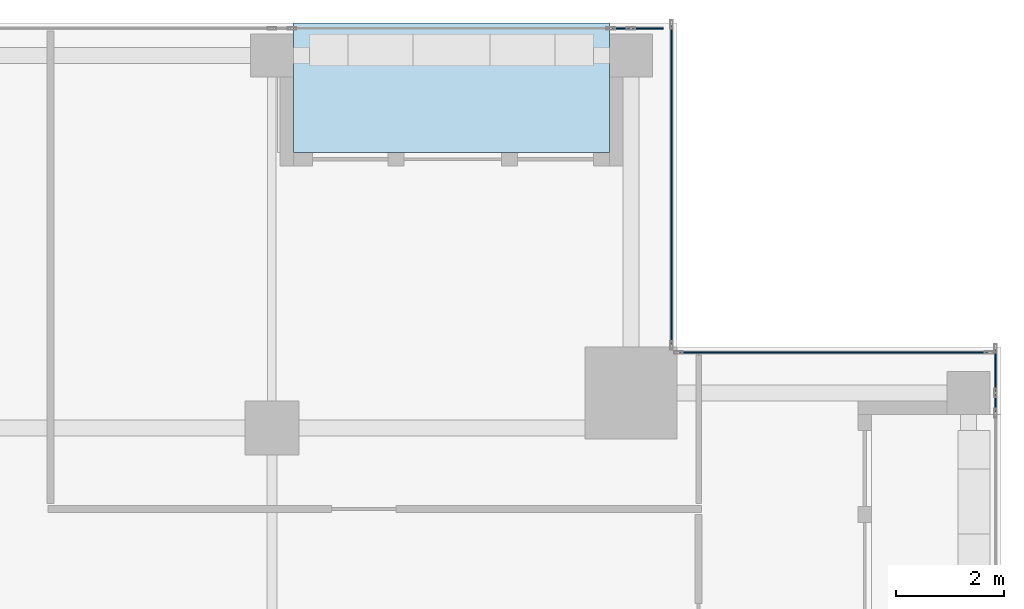
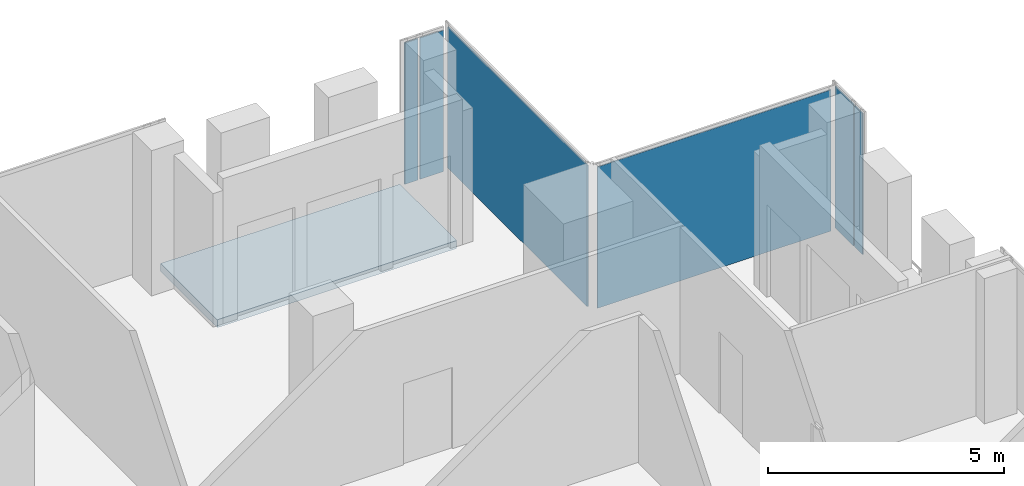
# One storey, part 24 of 29: 6 plates, 1 slab, 4 elements without a shape of their own.
"""IFC4 building model written with IfcOpenShell, lengths in metres."""

import ifcopenshell
import ifcopenshell.guid

model = None  # the IFC model being written
_history = None  # IfcOwnerHistory: only IFC2X3 demands one
_inside = {}  # id of a spatial element -> (the spatial element, [elements in it])
_under = {}  # id of a project, library or spatial element -> (it, [spatial elements below it])
_declared = {}  # id of a project -> (the project, [libraries it declares])
_typed = {}  # id of a type object -> (the type object, [elements of that type])
_made_of = {}  # id of a material, layer set ... -> (it, [elements and type objects made of it])


def new_model(schema):
    """Start an empty IFC model of exactly this schema.

    Asked for "IFC4X3", IfcOpenShell would pick the latest addendum, in which some entities
    have other attributes; the version numbers below select the first issue.
    IFC2X3 requires an IfcOwnerHistory on every rooted entity: one is made here for all.
    """
    global model, _history
    if schema == "IFC4X3":
        model = ifcopenshell.file(schema_version=(4, 3, 0, 0))
    else:
        model = ifcopenshell.file(schema=schema)
    _inside.clear()
    _under.clear()
    _declared.clear()
    _typed.clear()
    _made_of.clear()
    _history = None
    if model.schema == "IFC2X3":
        org = make("IfcOrganization", Name="unknown")
        user = make(
            "IfcPersonAndOrganization",
            ThePerson=make("IfcPerson", FamilyName="unknown"),
            TheOrganization=org,
        )
        app = make(
            "IfcApplication",
            ApplicationDeveloper=org,
            Version="unknown",
            ApplicationFullName="unknown",
            ApplicationIdentifier="unknown",
        )
        _history = make(
            "IfcOwnerHistory",
            OwningUser=user,
            OwningApplication=app,
            ChangeAction="ADDED",
            CreationDate=0,
        )
    return model


def make(cls, **values):
    """One entity of the class cls with the attributes given. An attribute that is None is left unset."""
    return model.create_entity(
        cls, **{name: value for name, value in values.items() if value is not None}
    )


def rooted(cls, **values):
    """An entity with a GlobalId (a new one), such as an element, a storey or a relation."""
    return make(cls, GlobalId=ifcopenshell.guid.new(), OwnerHistory=_history, **values)


def si_unit(unit_type, name, prefix=None):
    """IfcSIUnit, for example si_unit("LENGTHUNIT", "METRE", prefix="MILLI")."""
    return make("IfcSIUnit", UnitType=unit_type, Prefix=prefix, Name=name)


def assignment(units):
    """IfcUnitAssignment: the units of a project."""
    return None if units is None else make("IfcUnitAssignment", Units=units)


def point(xyz):
    """IfcCartesianPoint."""
    return None if xyz is None else make("IfcCartesianPoint", Coordinates=xyz)


def direction(xyz):
    """IfcDirection."""
    return None if xyz is None else make("IfcDirection", DirectionRatios=xyz)


def frame(location, z_axis=None, x_axis=None):
    """IfcAxis2Placement3D, a coordinate frame: its origin and axes. An axis left out is left unset."""
    return make(
        "IfcAxis2Placement3D",
        Location=point(location),
        Axis=direction(z_axis),
        RefDirection=direction(x_axis),
    )


def frame_2d(location, x_axis=None):
    """IfcAxis2Placement2D, a coordinate frame in the plane: its origin and x axis."""
    return make(
        "IfcAxis2Placement2D", Location=point(location), RefDirection=direction(x_axis)
    )


def origin():
    """The frame at (0, 0, 0) with its axes left unset."""
    return frame((0.0, 0.0, 0.0))


def origin_2d():
    """The frame at (0, 0) in the plane with its x axis left unset."""
    return frame_2d((0.0, 0.0))


def place(relative_to, where):
    """IfcLocalPlacement: puts the frame where relative to a parent placement (None: the world)."""
    return make(
        "IfcLocalPlacement", PlacementRelTo=relative_to, RelativePlacement=where
    )


def context(
    kind, dimensions, precision=None, world=None, true_north=None, identifier=None
):
    """IfcGeometricRepresentationContext, for example the 3D "Model" context."""
    return make(
        "IfcGeometricRepresentationContext",
        ContextIdentifier=identifier,
        ContextType=kind,
        CoordinateSpaceDimension=dimensions,
        Precision=precision,
        WorldCoordinateSystem=world,
        TrueNorth=true_north,
    )


def subcontext(parent, identifier, kind, view, scale=None):
    """IfcGeometricRepresentationSubContext, for example "Body" below "Model"."""
    return make(
        "IfcGeometricRepresentationSubContext",
        ContextIdentifier=identifier,
        ContextType=kind,
        ParentContext=parent,
        TargetScale=scale,
        TargetView=view,
    )


def project(units=None, contexts=None):
    """IfcProject with its units and contexts."""
    return rooted(
        "IfcProject",
        Name="project",
        RepresentationContexts=contexts,
        UnitsInContext=assignment(units),
    )


def spatial(cls, under=None, at=None, **own):
    """A site, building, storey or space (cls), placed at a placement, below another one or the project."""
    s = rooted(cls, ObjectPlacement=at, **own)
    if under is not None:
        _under.setdefault(under.id(), (under, []))[1].append(s)
    return s


def polyline(points):
    """IfcPolyline through the points."""
    return make("IfcPolyline", Points=[point(p) for p in points])


def profile(cls, at=None, kind="AREA", **sizes):
    """A parametric profile (cls). Its sizes go by their IFC names, for example OverallWidth=200.0."""
    return make(cls, ProfileType=kind, Position=at, **sizes)


def rectangle(**sizes):
    """IfcRectangleProfileDef."""
    return profile("IfcRectangleProfileDef", **sizes)


def outline(outer, holes=None, kind="AREA"):
    """IfcArbitraryClosedProfileDef: a profile drawn as a closed curve; with holes, ...WithVoids."""
    if holes is None:
        return make("IfcArbitraryClosedProfileDef", ProfileType=kind, OuterCurve=outer)
    return make(
        "IfcArbitraryProfileDefWithVoids",
        ProfileType=kind,
        OuterCurve=outer,
        InnerCurves=holes,
    )


def extrude(swept, where, along, depth):
    """IfcExtrudedAreaSolid: the profile swept, set in the frame where, extruded along a direction by depth."""
    return make(
        "IfcExtrudedAreaSolid",
        SweptArea=swept,
        Position=where,
        ExtrudedDirection=direction(along),
        Depth=depth,
    )


def shape(context_of_items, identifier, shape_type, items):
    """IfcShapeRepresentation: the items that make up one representation, for example the "Body"."""
    return make(
        "IfcShapeRepresentation",
        ContextOfItems=context_of_items,
        RepresentationIdentifier=identifier,
        RepresentationType=shape_type,
        Items=items,
    )


def source(mapping_origin, context_of_items, identifier, shape_type, items):
    """IfcRepresentationMap: a shape defined once, which mapped items show again and again."""
    return make(
        "IfcRepresentationMap",
        MappingOrigin=mapping_origin,
        MappedRepresentation=shape(context_of_items, identifier, shape_type, items),
    )


def transform(
    local_origin,
    x_axis=None,
    y_axis=None,
    z_axis=None,
    scale=None,
    scale2=None,
    scale3=None,
    uniform=True,
):
    """IfcCartesianTransformationOperator3D, or its non-uniform kind. x_axis, y_axis, z_axis: its Axis1, 2, 3."""
    if uniform:
        return make(
            "IfcCartesianTransformationOperator3D",
            Axis1=direction(x_axis),
            Axis2=direction(y_axis),
            LocalOrigin=point(local_origin),
            Scale=scale,
            Axis3=direction(z_axis),
        )
    return make(
        "IfcCartesianTransformationOperator3DnonUniform",
        Axis1=direction(x_axis),
        Axis2=direction(y_axis),
        LocalOrigin=point(local_origin),
        Scale=scale,
        Axis3=direction(z_axis),
        Scale2=scale2,
        Scale3=scale3,
    )


def mapped(mapping_source, mapping_target):
    """IfcMappedItem: shows the shape of a source again, moved by a transform."""
    return make(
        "IfcMappedItem", MappingSource=mapping_source, MappingTarget=mapping_target
    )


def material(Name=None, Category=None):
    """IfcMaterial."""
    return make("IfcMaterial", Name=Name, Category=Category)


def layer(
    of_material, thickness, ventilated=None, Name=None, Category=None, Priority=None
):
    """IfcMaterialLayer: one layer of a wall or slab, of a material (None: an air gap)."""
    return make(
        "IfcMaterialLayer",
        Material=of_material,
        LayerThickness=thickness,
        IsVentilated=ventilated,
        Name=Name,
        Category=Category,
        Priority=Priority,
    )


def layer_set(layers, Name=None):
    """IfcMaterialLayerSet."""
    return make("IfcMaterialLayerSet", MaterialLayers=layers, LayerSetName=Name)


def made_of(thing, what):
    """Note that an element or type object is made of a material, layer set ...; save() writes the relation."""
    if what is not None:
        _made_of.setdefault(what.id(), (what, []))[1].append(thing)
    return thing


def type_object(cls, material=None, **own):
    """A type object (cls), such as IfcWallType, which elements share."""
    return made_of(rooted(cls, **own), material)


def element(
    cls,
    number,
    at=None,
    inside=None,
    cuts=None,
    type_object=None,
    material=None,
    context=None,
    identifier="Body",
    shape_type=None,
    held_by="IfcProductDefinitionShape",
    body=None,
    shapes=None,
    **own,
):
    """One element of the class cls, such as IfcWall. Its Tag is "e" and its number.

    at: its placement. inside: the storey or other place that contains it. cuts: it is an
    opening in that element (IfcRelVoidsElement). A single representation is given by context,
    identifier, shape_type and body (its items); several are given by shapes. held_by: the class
    of the entity that holds the representations. save() writes the other relations.
    """
    e = rooted(cls, Tag="e%d" % number, ObjectPlacement=at, **own)
    if body is not None:
        shapes = [shape(context, identifier, shape_type, body)]
    if shapes is not None:
        e.Representation = make(held_by, Representations=shapes)
    if inside is not None:
        _inside.setdefault(inside.id(), (inside, []))[1].append(e)
    if cuts is not None:
        rooted(
            "IfcRelVoidsElement", RelatingBuildingElement=cuts, RelatedOpeningElement=e
        )
    if type_object is not None:
        _typed.setdefault(type_object.id(), (type_object, []))[1].append(e)
    return made_of(e, material)


def aggregate(whole, parts):
    """IfcRelAggregates: a whole, such as a stair, and the parts it consists of."""
    return rooted("IfcRelAggregates", RelatingObject=whole, RelatedObjects=parts)


def save(model, path):
    """Write the relations noted so far, then the file.

    IfcRelAggregates (storeys below a building ...), IfcRelContainedInSpatialStructure (elements
    in a storey), IfcRelDefinesByType, IfcRelAssociatesMaterial and IfcRelDeclares: one each for
    every whole, place, type object, material and project.
    """
    for whole, parts in _under.values():
        aggregate(whole, parts)
    for where, things in _inside.values():
        rooted(
            "IfcRelContainedInSpatialStructure",
            RelatedElements=things,
            RelatingStructure=where,
        )
    for kind, things in _typed.values():
        rooted("IfcRelDefinesByType", RelatedObjects=things, RelatingType=kind)
    for what, things in _made_of.values():
        rooted("IfcRelAssociatesMaterial", RelatedObjects=things, RelatingMaterial=what)
    for by, libraries in _declared.values():
        rooted("IfcRelDeclares", RelatingContext=by, RelatedDefinitions=libraries)
    model.write(path)


model = new_model("IFC4")

# Units and contexts
model_context = context("Model", 3, precision=1e-05, world=origin(), true_north=direction((0.0, 1.0)))
body_context = subcontext(model_context, "Body", "Model", "MODEL_VIEW")
ifc_project = project(units=[si_unit("LENGTHUNIT", "METRE"), si_unit("AREAUNIT", "SQUARE_METRE"), si_unit("VOLUMEUNIT", "CUBIC_METRE"), si_unit("PLANEANGLEUNIT", "RADIAN"), si_unit("MASSUNIT", "GRAM", prefix="KILO")], contexts=[model_context])

# Site, building, storey
site_placement = place(None, origin())
site = spatial("IfcSite", under=ifc_project, at=site_placement, CompositionType="ELEMENT")
building_placement = place(site_placement, origin())
building = spatial("IfcBuilding", under=site, at=building_placement, Name="Khomas Fold Tower", CompositionType="ELEMENT")
storey_placement = place(building_placement, frame((0.0, 0.0, 310.199951171875)))
storey = spatial("IfcBuildingStorey", under=building, at=storey_placement, Name="L70", CompositionType="ELEMENT", Elevation=310.199951171875)

# Curtain wall, plate
ifc_material_1 = material(Name="Aluminium framed double glazing", Category="aluminium")
curtain_wall_type = type_object("IfcCurtainWallType", Name="SK-Unitised clear-glass wall, upper floors CW3", PredefinedType="NOTDEFINED", material=ifc_material_1)
curtain_wall_1_placement = place(storey_placement, origin())
curtain_wall_1 = element("IfcCurtainWall", 1, at=curtain_wall_1_placement, inside=storey, type_object=curtain_wall_type, Name="CW3 run L70 06-0", PredefinedType="NOTDEFINED")
ifc_material_2 = material(Name="Clear double glazed unit")
ifc_layer_1 = layer(ifc_material_2, 0.028076171875)
ifc_layer_set_1 = layer_set([ifc_layer_1], Name="Clear double glazed unit")
plate_type = type_object("IfcPlateType", Name="SK-Unitised clear-glass wall, upper floors glass panel CW3-P", PredefinedType="CURTAIN_PANEL", material=ifc_layer_set_1)
shared_shape_1 = source(origin(), body_context, "Body", "SweptSolid", [
    extrude(rectangle(XDim=0.574951171875, YDim=0.028076171875, at=origin_2d()), origin(), (0.0, 0.0, 1.0), 3.64990234375),
])
plate_1_placement = place(storey_placement, frame((41.46240234375, 47.89990234375, 0.0), z_axis=(0.0, 0.0, 1.0), x_axis=(-1.0, 0.0, 0.0)))
plate_1 = element("IfcPlate", 2, at=plate_1_placement, type_object=plate_type, Name="CW3 glass panel 1", PredefinedType="CURTAIN_PANEL", context=body_context, shape_type="MappedRepresentation", body=[
    mapped(shared_shape_1, transform((0.0, 0.0, 0.0))),
])

curtain_wall_2_placement = place(storey_placement, origin())
curtain_wall_2 = element("IfcCurtainWall", 3, at=curtain_wall_2_placement, inside=storey, type_object=curtain_wall_type, Name="CW3 run L70 03-1", PredefinedType="NOTDEFINED")
shared_shape_2 = source(origin(), body_context, "Body", "SweptSolid", [
    extrude(rectangle(XDim=0.77490234375, YDim=0.028076171875, at=origin_2d()), origin(), (0.0, 0.0, 1.0), 3.64990234375),
])
plate_2_placement = place(storey_placement, frame((47.89990234375, 41.5625, 0.0), z_axis=(0.0, 0.0, 1.0), x_axis=(0.0, 1.0, 0.0)))
plate_2 = element("IfcPlate", 4, at=plate_2_placement, type_object=plate_type, Name="CW3 glass panel 2", PredefinedType="CURTAIN_PANEL", context=body_context, shape_type="MappedRepresentation", body=[
    mapped(shared_shape_2, transform((0.0, 0.0, 0.0))),
])

curtain_wall_3_placement = place(storey_placement, origin())
curtain_wall_3 = element("IfcCurtainWall", 5, at=curtain_wall_3_placement, inside=storey, type_object=curtain_wall_type, Name="CW3 corner return L70 04", PredefinedType="NOTDEFINED")
shared_shape_3 = source(origin(), body_context, "Body", "SweptSolid", [
    extrude(rectangle(XDim=5.699951171875, YDim=0.028076171875, at=origin_2d()), origin(), (0.0, 0.0, 1.0), 3.64990234375),
])
plate_3_placement = place(storey_placement, frame((44.89990234375, 41.89990234375, 0.0), z_axis=(0.0, 0.0, 1.0), x_axis=(-1.0, 0.0, 0.0)))
plate_3 = element("IfcPlate", 6, at=plate_3_placement, type_object=plate_type, Name="CW3 glass panel 1", PredefinedType="CURTAIN_PANEL", context=body_context, shape_type="MappedRepresentation", body=[
    mapped(shared_shape_3, transform((0.0, 0.0, 0.0))),
])
aggregate(curtain_wall_3, [plate_3])

curtain_wall_4_placement = place(storey_placement, origin())
curtain_wall_4 = element("IfcCurtainWall", 7, at=curtain_wall_4_placement, inside=storey, type_object=curtain_wall_type, Name="CW3 corner return L70 05", PredefinedType="NOTDEFINED")
shared_shape_4 = source(origin(), body_context, "Body", "SweptSolid", [
    extrude(rectangle(XDim=5.89990234375, YDim=0.028076171875, at=origin_2d()), origin(), (0.0, 0.0, 1.0), 3.64990234375),
])
plate_4_placement = place(storey_placement, frame((41.89990234375, 45.0, 0.0), z_axis=(0.0, 0.0, 1.0), x_axis=(0.0, 1.0, 0.0)))
plate_4 = element("IfcPlate", 8, at=plate_4_placement, type_object=plate_type, Name="CW3 glass panel 1", PredefinedType="CURTAIN_PANEL", context=body_context, shape_type="MappedRepresentation", body=[
    mapped(shared_shape_4, transform((0.0, 0.0, 0.0))),
])
aggregate(curtain_wall_4, [plate_4])

# Plate
shared_shape_5 = source(origin(), body_context, "Body", "SweptSolid", [
    extrude(rectangle(XDim=0.324951171875, YDim=0.028076171875, at=origin_2d()), origin(), (0.0, 0.0, 1.0), 3.64990234375),
])
plate_5_placement = place(storey_placement, frame((47.89990234375, 40.96240234375, 0.0), z_axis=(0.0, 0.0, 1.0), x_axis=(0.0, 1.0, 0.0)))
plate_5 = element("IfcPlate", 9, at=plate_5_placement, type_object=plate_type, Name="CW3 glass panel 1", PredefinedType="CURTAIN_PANEL", context=body_context, shape_type="MappedRepresentation", body=[
    mapped(shared_shape_5, transform((0.0, 0.0, 0.0))),
])

aggregate(curtain_wall_2, [plate_5, plate_2])

plate_6_placement = place(storey_placement, frame((40.96240234375, 47.89990234375, 0.0), z_axis=(0.0, 0.0, 1.0), x_axis=(-1.0, 0.0, 0.0)))
plate_6 = element("IfcPlate", 10, at=plate_6_placement, type_object=plate_type, Name="CW3 glass panel 2", PredefinedType="CURTAIN_PANEL", context=body_context, shape_type="MappedRepresentation", body=[
    mapped(shared_shape_5, transform((0.0, 0.0, 0.0))),
])

aggregate(curtain_wall_1, [plate_1, plate_6])

# Slab
ifc_material_3 = material(Name="Concrete C40/50", Category="concrete")
ifc_layer_2 = layer(ifc_material_3, 0.205078125)
ifc_layer_set_2 = layer_set([ifc_layer_2], Name="Concrete C40/50")
slab_type = type_object("IfcSlabType", Name="BL-Balcony deck 205", PredefinedType="FLOOR", material=ifc_layer_set_2)
shared_shape_6 = source(origin(), body_context, "Body", "SweptSolid", [
    extrude(outline(polyline([(34.89990234375, 45.60009765625), (40.75, 45.60009765625), (40.75, 48.0), (34.89990234375, 48.0), (34.89990234375, 45.60009765625)])), origin(), (0.0, 0.0, 1.0), 0.205078125),
])
slab_placement = place(storey_placement, frame((0.0, 0.0, -0.25)))
element("IfcSlab", 11, at=slab_placement, inside=storey, type_object=slab_type, Name="Balcony deck BAL-L70-N4", PredefinedType="FLOOR", context=body_context, shape_type="MappedRepresentation", body=[
    mapped(shared_shape_6, transform((0.0, 0.0, 0.0))),
])

save(model, "model.ifc")
